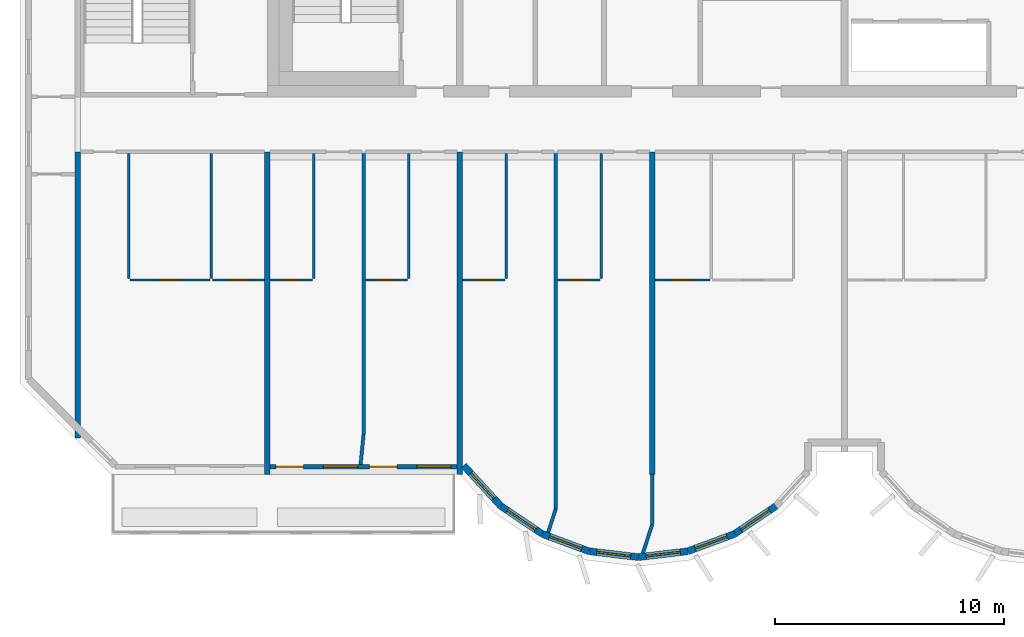
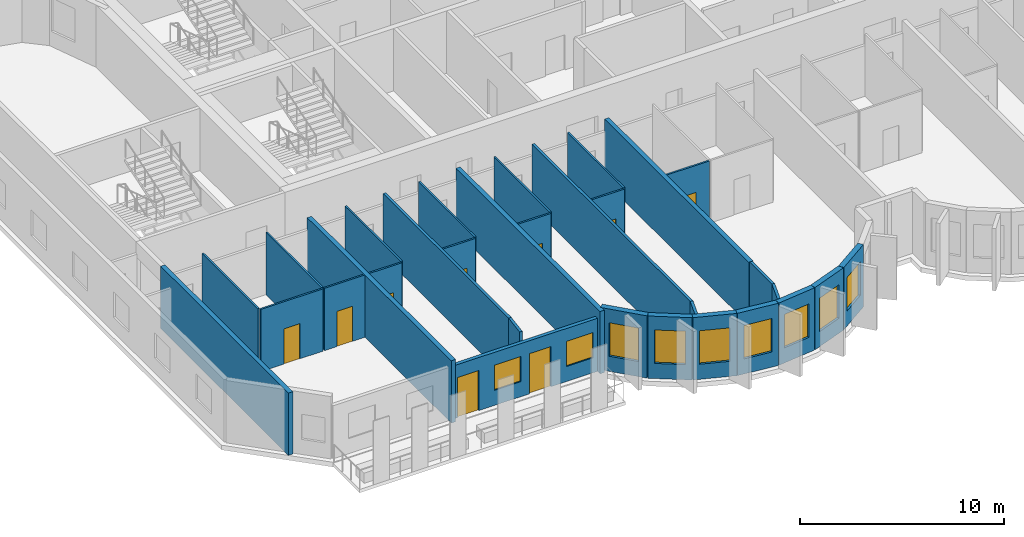
# One storey, part 2 of 12: 31 walls, 9 doors, 9 windows, 18 openings.
"""IFC4 building model written with IfcOpenShell, lengths in metres."""

from ifc_helpers import new_model, si_unit, direction, frame, frame_2d, origin, place, context, subcontext, project, spatial, rectangle, extrude, source, transform, mapped, material, layer, layer_set, type_object, element, fill, save


model = new_model("IFC4")

# Units and contexts
model_context = context("Model", 3, precision=1e-05, world=origin(), true_north=direction((0.0, 1.0)))
body_context = subcontext(model_context, "Body", "Model", "MODEL_VIEW")
ifc_project = project(units=[si_unit("LENGTHUNIT", "METRE"), si_unit("AREAUNIT", "SQUARE_METRE"), si_unit("VOLUMEUNIT", "CUBIC_METRE"), si_unit("PLANEANGLEUNIT", "RADIAN"), si_unit("MASSUNIT", "GRAM", prefix="KILO")], contexts=[model_context])

# Site, building, storey
site_placement = place(None, origin())
site = spatial("IfcSite", under=ifc_project, at=site_placement, CompositionType="ELEMENT")
building_placement = place(site_placement, origin())
building = spatial("IfcBuilding", under=site, at=building_placement, Name="Vanashikhar Sky Hotel", CompositionType="ELEMENT")
storey_placement = place(building_placement, frame((0.0, 0.0, 297.699951171875)))
storey = spatial("IfcBuildingStorey", under=building, at=storey_placement, Name="L71", CompositionType="ELEMENT", Elevation=297.699951171875)

# Walls
ifc_material_1 = material(Name="Concrete M50", Category="concrete")
ifc_layer_1 = layer(ifc_material_1, 0.25)
ifc_layer_set_1 = layer_set([ifc_layer_1], Name="RC shear wall 250 Concrete M50")
wall_type_1 = type_object("IfcWallType", Name="RC shear wall 250 Concrete M50", PredefinedType="SHEAR", material=ifc_layer_set_1)
shared_shape_1 = source(origin(), body_context, "Body", "SweptSolid", [
    extrude(rectangle(XDim=12.5, YDim=0.25, at=frame_2d((6.25, 0.0))), origin(), (0.0, 0.0, 1.0), 3.719970703125),
])
wall_1_placement = place(storey_placement, frame((16.925048828125, 7.10009765625, 0.0), z_axis=(0.0, 0.0, 1.0), x_axis=(0.0, 1.0, 0.0)))
element("IfcWall", 1, at=wall_1_placement, inside=storey, type_object=wall_type_1, Name="CW-L71-XW03-1", PredefinedType="SHEAR", context=body_context, shape_type="MappedRepresentation", body=[
    mapped(shared_shape_1, transform((0.0, 0.0, 0.0), scale=1.0)),
])
shared_shape_2 = source(origin(), body_context, "Body", "SweptSolid", [
    extrude(rectangle(XDim=14.10009765625, YDim=0.25, at=frame_2d((7.050048828125, 0.0))), origin(), (0.0, 0.0, 1.0), 3.719970703125),
])
for number, where, z_axis, x_axis, name in (
    (2, (25.199951171875, 5.5, 0.0), (0.0, 0.0, 1.0), (0.0, 1.0, 0.0), "CW-L71-XW04-1"),
    (3, (33.60009765625, 5.5, 0.0), (0.0, 0.0, 1.0), (0.0, 1.0, 0.0), "CW-L71-XW05-1"),
    (4, (42.0, 5.5, 0.0), (0.0, 0.0, 1.0), (0.0, 1.0, 0.0), "CW-L71-XW06-1"),
):
    element("IfcWall", number, at=place(storey_placement, frame(where, z_axis=z_axis, x_axis=x_axis)), inside=storey, type_object=wall_type_1, Name=name, PredefinedType="SHEAR", context=body_context, shape_type="MappedRepresentation", body=[
        mapped(shared_shape_2, transform((0.0, 0.0, 0.0), scale=1.0)),
    ])

# Wall, openings, windows, doors
ifc_layer_2 = layer(ifc_material_1, 0.199951171875)
ifc_layer_set_2 = layer_set([ifc_layer_2], Name="Front window wall 200")
wall_type_2 = type_object("IfcWallType", Name="Front window wall 200", PredefinedType="SOLIDWALL", material=ifc_layer_set_2)
shared_shape_3 = source(origin(), body_context, "Body", "SweptSolid", [
    extrude(rectangle(XDim=8.150146484375, YDim=0.199951171875, at=frame_2d((4.0751953125, 0.0))), origin(), (0.0, 0.0, 1.0), 3.170166015625),
])
wall_2_placement = place(storey_placement, frame((25.324951171875, 5.85009765625, 0.0), z_axis=(0.0, 0.0, 1.0), x_axis=(1.0, 0.0, 0.0)))
wall_2 = element("IfcWall", 5, at=wall_2_placement, inside=storey, type_object=wall_type_2, Name="Front window wall", PredefinedType="SOLIDWALL", context=body_context, shape_type="MappedRepresentation", body=[
    mapped(shared_shape_3, transform((0.0, 0.0, 0.0), scale=1.0)),
])
shared_shape_4 = source(origin(), body_context, "Body", "SweptSolid", [
    extrude(rectangle(XDim=1.199951171875, YDim=2.39990234375, at=frame_2d((0.60009765625, 1.199951171875))), frame((0.0, 0.10986328125, 0.0), z_axis=(0.0, -1.0, 0.0), x_axis=(1.0, 0.0, 0.0)), (0.0, 0.0, 1.0), 0.219970703125),
])
opening_1_placement = place(wall_2_placement, frame((0.25, 0.0, 0.0)))
opening_1 = element("IfcOpeningElement", 6, at=opening_1_placement, cuts=wall_2, Name="Opening BD-01", PredefinedType="OPENING", context=body_context, shape_type="MappedRepresentation", body=[
    mapped(shared_shape_4, transform((0.0, 0.0, 0.0), scale=1.0)),
])
shared_shape_5 = source(origin(), body_context, "Body", "SweptSolid", [
    extrude(rectangle(XDim=1.5, YDim=1.5, at=frame_2d((0.75, 0.75))), frame((0.0, 0.10986328125, 0.0), z_axis=(0.0, -1.0, 0.0), x_axis=(1.0, 0.0, 0.0)), (0.0, 0.0, 1.0), 0.219970703125),
])
opening_2_placement = place(wall_2_placement, frame((2.324951171875, 0.0, 0.89990234375)))
opening_2 = element("IfcOpeningElement", 7, at=opening_2_placement, cuts=wall_2, Name="Opening WN-1", PredefinedType="OPENING", context=body_context, shape_type="MappedRepresentation", body=[
    mapped(shared_shape_5, transform((0.0, 0.0, 0.0), scale=1.0)),
])
opening_3_placement = place(wall_2_placement, frame((4.324951171875, 0.0, 0.0)))
opening_3 = element("IfcOpeningElement", 8, at=opening_3_placement, cuts=wall_2, Name="Opening BD-02", PredefinedType="OPENING", context=body_context, shape_type="MappedRepresentation", body=[
    mapped(shared_shape_4, transform((0.0, 0.0, 0.0), scale=1.0)),
])
opening_4_placement = place(wall_2_placement, frame((6.39990234375, 0.0, 0.89990234375)))
opening_4 = element("IfcOpeningElement", 9, at=opening_4_placement, cuts=wall_2, Name="Opening WN-1", PredefinedType="OPENING", context=body_context, shape_type="MappedRepresentation", body=[
    mapped(shared_shape_5, transform((0.0, 0.0, 0.0), scale=1.0)),
])
ifc_material_2 = material(Name="Glass", Category="glass")
window_type_1 = type_object("IfcWindowType", Name="Window 1500 x 1500", PartitioningType="SINGLE_PANEL", PredefinedType="WINDOW", material=ifc_material_2)
shared_shape_6 = source(origin(), body_context, "Body", "SweptSolid", [
    extrude(rectangle(XDim=1.5, YDim=1.5, at=frame_2d((0.75, 0.75))), frame((0.0, 0.030029296875, 0.0), z_axis=(0.0, -1.0, 0.0), x_axis=(1.0, 0.0, 0.0)), (0.0, 0.0, 1.0), 0.06005859375),
])
window_1_placement = place(opening_2_placement, origin())
window_1 = element("IfcWindow", 10, at=window_1_placement, inside=storey, type_object=window_type_1, Name="Window WN-1", OverallHeight=1.5, OverallWidth=1.5, PartitioningType="SINGLE_PANEL", PredefinedType="WINDOW", context=body_context, shape_type="MappedRepresentation", body=[
    mapped(shared_shape_6, transform((0.0, 0.0, 0.0), scale=1.0)),
])
fill(opening_2, window_1)
window_2_placement = place(opening_4_placement, origin())
window_2 = element("IfcWindow", 11, at=window_2_placement, inside=storey, type_object=window_type_1, Name="Window WN-1", OverallHeight=1.5, OverallWidth=1.5, PartitioningType="SINGLE_PANEL", PredefinedType="WINDOW", context=body_context, shape_type="MappedRepresentation", body=[
    mapped(shared_shape_6, transform((0.0, 0.0, 0.0), scale=1.0)),
])
fill(opening_4, window_2)
ifc_material_3 = material(Name="Aluminium", Category="aluminium")
door_type_1 = type_object("IfcDoorType", Name="Balcony sliding door 1200 x 2400", OperationType="NOTDEFINED", PredefinedType="DOOR", material=ifc_material_3)
shared_shape_7 = source(origin(), body_context, "Body", "SweptSolid", [
    extrude(rectangle(XDim=1.199951171875, YDim=2.39990234375, at=frame_2d((0.60009765625, 1.199951171875))), frame((0.0, 0.02490234375, 0.0), z_axis=(0.0, -1.0, 0.0), x_axis=(1.0, 0.0, 0.0)), (0.0, 0.0, 1.0), 0.050048828125),
])
door_1_placement = place(opening_1_placement, origin())
door_1 = element("IfcDoor", 12, at=door_1_placement, inside=storey, type_object=door_type_1, Name="Balcony sliding door", OperationType="SLIDING_TO_LEFT", OverallHeight=2.39990234375, OverallWidth=1.199951171875, PredefinedType="DOOR", context=body_context, shape_type="MappedRepresentation", body=[
    mapped(shared_shape_7, transform((0.0, 0.0, 0.0), scale=1.0)),
])
fill(opening_1, door_1)
door_2_placement = place(opening_3_placement, origin())
door_2 = element("IfcDoor", 13, at=door_2_placement, inside=storey, type_object=door_type_1, Name="Balcony sliding door", OperationType="SLIDING_TO_RIGHT", OverallHeight=2.39990234375, OverallWidth=1.199951171875, PredefinedType="DOOR", context=body_context, shape_type="MappedRepresentation", body=[
    mapped(shared_shape_7, transform((0.0, 0.0, 0.0), scale=1.0)),
])
fill(opening_3, door_2)

# Wall, opening, window
ifc_layer_3 = layer(ifc_material_1, 0.300048828125)
ifc_layer_set_3 = layer_set([ifc_layer_3], Name="Lobe wall 300")
wall_type_3 = type_object("IfcWallType", Name="Lobe wall 300", PredefinedType="SOLIDWALL", material=ifc_layer_set_3)
shared_shape_8 = source(origin(), body_context, "Body", "SweptSolid", [
    extrude(rectangle(XDim=2.398193359375, YDim=0.300048828125, at=frame_2d((1.19921875, 0.0))), origin(), (0.0, 0.0, 1.0), 3.719970703125),
])
wall_3_placement = place(storey_placement, frame((33.776123046875, 5.89990234375, 0.0), z_axis=(0.0, 0.0, 1.0), x_axis=(0.675374189419, -0.737475222815, 0.0)))
wall_3 = element("IfcWall", 14, at=wall_3_placement, inside=storey, type_object=wall_type_3, Name="Lobe wall", PredefinedType="SOLIDWALL", context=body_context, shape_type="MappedRepresentation", body=[
    mapped(shared_shape_8, transform((0.0, 0.0, 0.0), scale=1.0)),
])
shared_shape_9 = source(origin(), body_context, "Body", "SweptSolid", [
    extrude(rectangle(XDim=1.5, YDim=2.0, at=frame_2d((0.75, 1.0))), frame((0.0, 0.16015625, 0.0), z_axis=(0.0, -1.0, 0.0), x_axis=(1.0, 0.0, 0.0)), (0.0, 0.0, 1.0), 0.320068359375),
])
opening_5_placement = place(wall_3_placement, frame((0.44921875, 0.0, 0.89990234375)))
opening_5 = element("IfcOpeningElement", 15, at=opening_5_placement, cuts=wall_3, Name="Opening WN-2", PredefinedType="OPENING", context=body_context, shape_type="MappedRepresentation", body=[
    mapped(shared_shape_9, transform((0.0, 0.0, 0.0), scale=1.0)),
])
window_type_2 = type_object("IfcWindowType", Name="Lobe window 1500 x 2000", PartitioningType="SINGLE_PANEL", PredefinedType="WINDOW", material=ifc_material_2)
shared_shape_10 = source(origin(), body_context, "Body", "SweptSolid", [
    extrude(rectangle(XDim=1.5, YDim=2.0, at=frame_2d((0.75, 1.0))), frame((0.0, 0.030029296875, 0.0), z_axis=(0.0, -1.0, 0.0), x_axis=(1.0, 0.0, 0.0)), (0.0, 0.0, 1.0), 0.06005859375),
])
window_3_placement = place(opening_5_placement, origin())
window_3 = element("IfcWindow", 16, at=window_3_placement, inside=storey, type_object=window_type_2, Name="Window WN-2", OverallHeight=2.0, OverallWidth=1.5, PartitioningType="SINGLE_PANEL", PredefinedType="WINDOW", context=body_context, shape_type="MappedRepresentation", body=[
    mapped(shared_shape_10, transform((0.0, 0.0, 0.0), scale=1.0)),
])
fill(opening_5, window_3)

shared_shape_11 = source(origin(), body_context, "Body", "SweptSolid", [
    extrude(rectangle(XDim=2.17578125, YDim=0.300048828125, at=frame_2d((1.087890625, 0.0))), origin(), (0.0, 0.0, 1.0), 3.719970703125),
])
wall_4_placement = place(storey_placement, frame((35.395751953125, 4.13134765625, 0.0), z_axis=(0.0, 0.0, 1.0), x_axis=(0.829590746428, -0.558371913192, 0.0)))
wall_4 = element("IfcWall", 17, at=wall_4_placement, inside=storey, type_object=wall_type_3, Name="Lobe wall", PredefinedType="SOLIDWALL", context=body_context, shape_type="MappedRepresentation", body=[
    mapped(shared_shape_11, transform((0.0, 0.0, 0.0), scale=1.0)),
])
opening_6_placement = place(wall_4_placement, frame((0.337890625, 0.0, 0.89990234375)))
opening_6 = element("IfcOpeningElement", 18, at=opening_6_placement, cuts=wall_4, Name="Opening WN-2", PredefinedType="OPENING", context=body_context, shape_type="MappedRepresentation", body=[
    mapped(shared_shape_9, transform((0.0, 0.0, 0.0), scale=1.0)),
])
window_4_placement = place(opening_6_placement, origin())
window_4 = element("IfcWindow", 19, at=window_4_placement, inside=storey, type_object=window_type_2, Name="Window WN-2", OverallHeight=2.0, OverallWidth=1.5, PartitioningType="SINGLE_PANEL", PredefinedType="WINDOW", context=body_context, shape_type="MappedRepresentation", body=[
    mapped(shared_shape_10, transform((0.0, 0.0, 0.0), scale=1.0)),
])
fill(opening_6, window_4)

wall_5_placement = place(storey_placement, frame((37.20068359375, 2.91650390625, 0.0), z_axis=(0.0, 0.0, 1.0), x_axis=(0.93754555999, -0.347862505801, 0.0)))
wall_5 = element("IfcWall", 20, at=wall_5_placement, inside=storey, type_object=wall_type_3, Name="Lobe wall", PredefinedType="SOLIDWALL", context=body_context, shape_type="MappedRepresentation", body=[
    mapped(shared_shape_11, transform((0.0, 0.0, 0.0), scale=1.0)),
])
opening_7_placement = place(wall_5_placement, frame((0.337890625, 0.0, 0.89990234375)))
opening_7 = element("IfcOpeningElement", 21, at=opening_7_placement, cuts=wall_5, Name="Opening WN-2", PredefinedType="OPENING", context=body_context, shape_type="MappedRepresentation", body=[
    mapped(shared_shape_9, transform((0.0, 0.0, 0.0), scale=1.0)),
])
window_5_placement = place(opening_7_placement, origin())
window_5 = element("IfcWindow", 22, at=window_5_placement, inside=storey, type_object=window_type_2, Name="Window WN-2", OverallHeight=2.0, OverallWidth=1.5, PartitioningType="SINGLE_PANEL", PredefinedType="WINDOW", context=body_context, shape_type="MappedRepresentation", body=[
    mapped(shared_shape_10, transform((0.0, 0.0, 0.0), scale=1.0)),
])
fill(opening_7, window_5)

wall_6_placement = place(storey_placement, frame((45.59912109375, 2.91650390625, 0.0), z_axis=(0.0, 0.0, 1.0), x_axis=(0.829625727223, 0.558319937607, 0.0)))
wall_6 = element("IfcWall", 23, at=wall_6_placement, inside=storey, type_object=wall_type_3, Name="Lobe wall", PredefinedType="SOLIDWALL", context=body_context, shape_type="MappedRepresentation", body=[
    mapped(shared_shape_11, transform((0.0, 0.0, 0.0), scale=1.0)),
])
opening_8_placement = place(wall_6_placement, frame((0.337890625, 0.0, 0.89990234375)))
opening_8 = element("IfcOpeningElement", 24, at=opening_8_placement, cuts=wall_6, Name="Opening WN-2", PredefinedType="OPENING", context=body_context, shape_type="MappedRepresentation", body=[
    mapped(shared_shape_9, transform((0.0, 0.0, 0.0), scale=1.0)),
])
window_6_placement = place(opening_8_placement, origin())
window_6 = element("IfcWindow", 25, at=window_6_placement, inside=storey, type_object=window_type_2, Name="Window WN-2", OverallHeight=2.0, OverallWidth=1.5, PartitioningType="SINGLE_PANEL", PredefinedType="WINDOW", context=body_context, shape_type="MappedRepresentation", body=[
    mapped(shared_shape_10, transform((0.0, 0.0, 0.0), scale=1.0)),
])
fill(opening_8, window_6)

shared_shape_12 = source(origin(), body_context, "Body", "SweptSolid", [
    extrude(rectangle(XDim=2.174560546875, YDim=0.300048828125, at=frame_2d((1.08740234375, 0.0))), origin(), (0.0, 0.0, 1.0), 3.719970703125),
])
wall_7_placement = place(storey_placement, frame((39.240478515625, 2.15966796875, 0.0), z_axis=(0.0, 0.0, 1.0), x_axis=(0.993001132889, -0.118104826659, 0.0)))
wall_7 = element("IfcWall", 26, at=wall_7_placement, inside=storey, type_object=wall_type_3, Name="Lobe wall", PredefinedType="SOLIDWALL", context=body_context, shape_type="MappedRepresentation", body=[
    mapped(shared_shape_12, transform((0.0, 0.0, 0.0), scale=1.0)),
])
opening_9_placement = place(wall_7_placement, frame((0.33740234375, 0.0, 0.89990234375)))
opening_9 = element("IfcOpeningElement", 27, at=opening_9_placement, cuts=wall_7, Name="Opening WN-2", PredefinedType="OPENING", context=body_context, shape_type="MappedRepresentation", body=[
    mapped(shared_shape_9, transform((0.0, 0.0, 0.0), scale=1.0)),
])
window_7_placement = place(opening_9_placement, origin())
window_7 = element("IfcWindow", 28, at=window_7_placement, inside=storey, type_object=window_type_2, Name="Window WN-2", OverallHeight=2.0, OverallWidth=1.5, PartitioningType="SINGLE_PANEL", PredefinedType="WINDOW", context=body_context, shape_type="MappedRepresentation", body=[
    mapped(shared_shape_10, transform((0.0, 0.0, 0.0), scale=1.0)),
])
fill(opening_9, window_7)

shared_shape_13 = source(origin(), body_context, "Body", "SweptSolid", [
    extrude(rectangle(XDim=2.1748046875, YDim=0.300048828125, at=frame_2d((1.08740234375, 0.0))), origin(), (0.0, 0.0, 1.0), 3.719970703125),
])
wall_8_placement = place(storey_placement, frame((41.39990234375, 1.90283203125, 0.0), z_axis=(0.0, 0.0, 1.0), x_axis=(0.993002698611, 0.118091661648, 0.0)))
wall_8 = element("IfcWall", 29, at=wall_8_placement, inside=storey, type_object=wall_type_3, Name="Lobe wall", PredefinedType="SOLIDWALL", context=body_context, shape_type="MappedRepresentation", body=[
    mapped(shared_shape_13, transform((0.0, 0.0, 0.0), scale=1.0)),
])
opening_10_placement = place(wall_8_placement, frame((0.33740234375, 0.0, 0.89990234375)))
opening_10 = element("IfcOpeningElement", 30, at=opening_10_placement, cuts=wall_8, Name="Opening WN-2", PredefinedType="OPENING", context=body_context, shape_type="MappedRepresentation", body=[
    mapped(shared_shape_9, transform((0.0, 0.0, 0.0), scale=1.0)),
])
window_8_placement = place(opening_10_placement, origin())
window_8 = element("IfcWindow", 31, at=window_8_placement, inside=storey, type_object=window_type_2, Name="Window WN-2", OverallHeight=2.0, OverallWidth=1.5, PartitioningType="SINGLE_PANEL", PredefinedType="WINDOW", context=body_context, shape_type="MappedRepresentation", body=[
    mapped(shared_shape_10, transform((0.0, 0.0, 0.0), scale=1.0)),
])
fill(opening_10, window_8)

shared_shape_14 = source(origin(), body_context, "Body", "SweptSolid", [
    extrude(rectangle(XDim=2.175537109375, YDim=0.300048828125, at=frame_2d((1.087890625, 0.0))), origin(), (0.0, 0.0, 1.0), 3.719970703125),
])
wall_9_placement = place(storey_placement, frame((43.5595703125, 2.15966796875, 0.0), z_axis=(0.0, 0.0, 1.0), x_axis=(0.937531979054, 0.347899106424, 0.0)))
wall_9 = element("IfcWall", 32, at=wall_9_placement, inside=storey, type_object=wall_type_3, Name="Lobe wall", PredefinedType="SOLIDWALL", context=body_context, shape_type="MappedRepresentation", body=[
    mapped(shared_shape_14, transform((0.0, 0.0, 0.0), scale=1.0)),
])
opening_11_placement = place(wall_9_placement, frame((0.337890625, 0.0, 0.89990234375)))
opening_11 = element("IfcOpeningElement", 33, at=opening_11_placement, cuts=wall_9, Name="Opening WN-2", PredefinedType="OPENING", context=body_context, shape_type="MappedRepresentation", body=[
    mapped(shared_shape_9, transform((0.0, 0.0, 0.0), scale=1.0)),
])
window_9_placement = place(opening_11_placement, origin())
window_9 = element("IfcWindow", 34, at=window_9_placement, inside=storey, type_object=window_type_2, Name="Window WN-2", OverallHeight=2.0, OverallWidth=1.5, PartitioningType="SINGLE_PANEL", PredefinedType="WINDOW", context=body_context, shape_type="MappedRepresentation", body=[
    mapped(shared_shape_10, transform((0.0, 0.0, 0.0), scale=1.0)),
])
fill(opening_11, window_9)

# Wall, opening, door
ifc_material_4 = material(Name="Gypsum plasterboard partition")
ifc_layer_4 = layer(ifc_material_4, 0.10009765625)
ifc_layer_set_4 = layer_set([ifc_layer_4], Name="Wet room partition 100")
wall_type_4 = type_object("IfcWallType", Name="Wet room partition 100", PredefinedType="PARTITIONING", material=ifc_layer_set_4)
shared_shape_15 = source(origin(), body_context, "Body", "SweptSolid", [
    extrude(rectangle(XDim=3.5, YDim=0.10009765625, at=frame_2d((1.75, 0.0))), origin(), (0.0, 0.0, 1.0), 3.719970703125),
])
wall_10_placement = place(storey_placement, frame((19.199951171875, 14.0, 0.0), z_axis=(0.0, 0.0, 1.0), x_axis=(1.0, 0.0, 0.0)))
wall_10 = element("IfcWall", 35, at=wall_10_placement, inside=storey, type_object=wall_type_4, Name="W-L71-PW003", PredefinedType="PARTITIONING", context=body_context, shape_type="MappedRepresentation", body=[
    mapped(shared_shape_15, transform((0.0, 0.0, 0.0), scale=1.0)),
])
shared_shape_16 = source(origin(), body_context, "Body", "SweptSolid", [
    extrude(rectangle(XDim=0.89990234375, YDim=2.10009765625, at=frame_2d((0.449951171875, 1.050048828125))), frame((0.0, 0.06005859375, 0.0), z_axis=(0.0, -1.0, 0.0), x_axis=(1.0, 0.0, 0.0)), (0.0, 0.0, 1.0), 0.1201171875),
])
opening_12_placement = place(wall_10_placement, frame((1.300048828125, 0.0, 0.0)))
opening_12 = element("IfcOpeningElement", 36, at=opening_12_placement, cuts=wall_10, Name="Opening D-02", PredefinedType="OPENING", context=body_context, shape_type="MappedRepresentation", body=[
    mapped(shared_shape_16, transform((0.0, 0.0, 0.0), scale=1.0)),
])
ifc_material_5 = material(Name="Timber door", Category="wood")
door_type_2 = type_object("IfcDoorType", Name="Internal door 900", OperationType="NOTDEFINED", PredefinedType="DOOR", material=ifc_material_5)
shared_shape_17 = source(origin(), body_context, "Body", "SweptSolid", [
    extrude(rectangle(XDim=0.89990234375, YDim=2.10009765625, at=frame_2d((0.449951171875, 1.050048828125))), frame((0.0, 0.02490234375, 0.0), z_axis=(0.0, -1.0, 0.0), x_axis=(1.0, 0.0, 0.0)), (0.0, 0.0, 1.0), 0.050048828125),
])
door_3_placement = place(opening_12_placement, origin())
door_3 = element("IfcDoor", 37, at=door_3_placement, inside=storey, type_object=door_type_2, Name="D-L71-001", OperationType="SINGLE_SWING_LEFT", OverallHeight=2.10009765625, OverallWidth=0.89990234375, PredefinedType="DOOR", context=body_context, shape_type="MappedRepresentation", body=[
    mapped(shared_shape_17, transform((0.0, 0.0, 0.0), scale=1.0)),
])
fill(opening_12, door_3)

# Walls
ifc_layer_5 = layer(ifc_material_4, 0.14990234375)
ifc_layer_set_5 = layer_set([ifc_layer_5], Name="Corridor and demising partition 150")
wall_type_5 = type_object("IfcWallType", Name="Corridor and demising partition 150", PredefinedType="PARTITIONING", material=ifc_layer_set_5)
shared_shape_18 = source(origin(), body_context, "Body", "SweptSolid", [
    extrude(rectangle(XDim=2.177978515625, YDim=0.14990234375, at=frame_2d((1.0888671875, 0.0))), origin(), (0.0, 0.0, 1.0), 3.719970703125),
])
wall_11_placement = place(storey_placement, frame((42.0, 3.322021484375, 0.0), z_axis=(0.0, 0.0, 1.0), x_axis=(0.0, 1.0, 0.0)))
element("IfcWall", 38, at=wall_11_placement, inside=storey, type_object=wall_type_5, Name="W-L71-PW047", PredefinedType="PARTITIONING", context=body_context, shape_type="MappedRepresentation", body=[
    mapped(shared_shape_18, transform((0.0, 0.0, 0.0), scale=1.0)),
])
shared_shape_19 = source(origin(), body_context, "Body", "SweptSolid", [
    extrude(rectangle(XDim=1.308349609375, YDim=0.14990234375, at=frame_2d((0.654296875, 0.0))), origin(), (0.0, 0.0, 1.0), 3.719970703125),
])
wall_12_placement = place(storey_placement, frame((41.597900390625, 2.076904296875, 0.0), z_axis=(0.0, 0.0, 1.0), x_axis=(0.307313512187, 0.951608325535, 0.0)))
element("IfcWall", 39, at=wall_12_placement, inside=storey, type_object=wall_type_5, Name="W-L71-PW047B0", PredefinedType="PARTITIONING", context=body_context, shape_type="MappedRepresentation", body=[
    mapped(shared_shape_19, transform((0.0, 0.0, 0.0), scale=1.0)),
])
shared_shape_20 = source(origin(), body_context, "Body", "SweptSolid", [
    extrude(rectangle(XDim=5.449951171875, YDim=0.10009765625, at=frame_2d((2.72509765625, 0.0))), origin(), (0.0, 0.0, 1.0), 3.719970703125),
])
for number, where, z_axis, x_axis, name in (
    (40, (19.14990234375, 14.074951171875, 0.0), (0.0, 0.0, 1.0), (0.0, 1.0, 0.0), "W-L71-PW001"),
    (41, (22.75, 14.074951171875, 0.0), (0.0, 0.0, 1.0), (0.0, 1.0, 0.0), "W-L71-PW002"),
    (42, (27.22509765625, 14.074951171875, 0.0), (0.0, 0.0, 1.0), (0.0, 1.0, 0.0), "W-L71-PW006"),
    (43, (31.375, 14.074951171875, 0.0), (0.0, 0.0, 1.0), (0.0, 1.0, 0.0), "W-L71-PW009"),
    (44, (35.625, 14.074951171875, 0.0), (0.0, 0.0, 1.0), (0.0, 1.0, 0.0), "W-L71-PW013"),
    (45, (39.77490234375, 14.074951171875, 0.0), (0.0, 0.0, 1.0), (0.0, 1.0, 0.0), "W-L71-PW016"),
):
    element("IfcWall", number, at=place(storey_placement, frame(where, z_axis=z_axis, x_axis=x_axis)), inside=storey, type_object=wall_type_4, Name=name, PredefinedType="PARTITIONING", context=body_context, shape_type="MappedRepresentation", body=[
        mapped(shared_shape_20, transform((0.0, 0.0, 0.0), scale=1.0)),
    ])

# Wall, opening, door
shared_shape_21 = source(origin(), body_context, "Body", "SweptSolid", [
    extrude(rectangle(XDim=2.27490234375, YDim=0.10009765625, at=frame_2d((1.137451171875, 0.0))), origin(), (0.0, 0.0, 1.0), 3.719970703125),
])
wall_13_placement = place(storey_placement, frame((22.800048828125, 14.0, 0.0), z_axis=(0.0, 0.0, 1.0), x_axis=(1.0, 0.0, 0.0)))
wall_13 = element("IfcWall", 46, at=wall_13_placement, inside=storey, type_object=wall_type_4, Name="W-L71-PW004", PredefinedType="PARTITIONING", context=body_context, shape_type="MappedRepresentation", body=[
    mapped(shared_shape_21, transform((0.0, 0.0, 0.0), scale=1.0)),
])
opening_13_placement = place(wall_13_placement, frame((0.68798828125, 0.0, 0.0)))
opening_13 = element("IfcOpeningElement", 47, at=opening_13_placement, cuts=wall_13, Name="Opening D-02", PredefinedType="OPENING", context=body_context, shape_type="MappedRepresentation", body=[
    mapped(shared_shape_16, transform((0.0, 0.0, 0.0), scale=1.0)),
])
door_4_placement = place(opening_13_placement, origin())
door_4 = element("IfcDoor", 48, at=door_4_placement, inside=storey, type_object=door_type_2, Name="D-L71-002", OperationType="SINGLE_SWING_LEFT", OverallHeight=2.10009765625, OverallWidth=0.89990234375, PredefinedType="DOOR", context=body_context, shape_type="MappedRepresentation", body=[
    mapped(shared_shape_17, transform((0.0, 0.0, 0.0), scale=1.0)),
])
fill(opening_13, door_4)

shared_shape_22 = source(origin(), body_context, "Body", "SweptSolid", [
    extrude(rectangle(XDim=1.85009765625, YDim=0.10009765625, at=frame_2d((0.925048828125, 0.0))), origin(), (0.0, 0.0, 1.0), 3.719970703125),
])
wall_14_placement = place(storey_placement, frame((25.324951171875, 14.0, 0.0), z_axis=(0.0, 0.0, 1.0), x_axis=(1.0, 0.0, 0.0)))
wall_14 = element("IfcWall", 49, at=wall_14_placement, inside=storey, type_object=wall_type_4, Name="W-L71-PW007", PredefinedType="PARTITIONING", context=body_context, shape_type="MappedRepresentation", body=[
    mapped(shared_shape_22, transform((0.0, 0.0, 0.0), scale=1.0)),
])
opening_14_placement = place(wall_14_placement, frame((0.47509765625, 0.0, 0.0)))
opening_14 = element("IfcOpeningElement", 50, at=opening_14_placement, cuts=wall_14, Name="Opening D-02", PredefinedType="OPENING", context=body_context, shape_type="MappedRepresentation", body=[
    mapped(shared_shape_16, transform((0.0, 0.0, 0.0), scale=1.0)),
])
door_5_placement = place(opening_14_placement, origin())
door_5 = element("IfcDoor", 51, at=door_5_placement, inside=storey, type_object=door_type_2, Name="D-L71-004", OperationType="SINGLE_SWING_RIGHT", OverallHeight=2.10009765625, OverallWidth=0.89990234375, PredefinedType="DOOR", context=body_context, shape_type="MappedRepresentation", body=[
    mapped(shared_shape_17, transform((0.0, 0.0, 0.0), scale=1.0)),
])
fill(opening_14, door_5)

wall_15_placement = place(storey_placement, frame((37.875, 14.0, 0.0), z_axis=(0.0, 0.0, 1.0), x_axis=(1.0, 0.0, 0.0)))
wall_15 = element("IfcWall", 52, at=wall_15_placement, inside=storey, type_object=wall_type_4, Name="W-L71-PW017", PredefinedType="PARTITIONING", context=body_context, shape_type="MappedRepresentation", body=[
    mapped(shared_shape_22, transform((0.0, 0.0, 0.0), scale=1.0)),
])
opening_15_placement = place(wall_15_placement, frame((0.47509765625, 0.0, 0.0)))
opening_15 = element("IfcOpeningElement", 53, at=opening_15_placement, cuts=wall_15, Name="Opening D-02", PredefinedType="OPENING", context=body_context, shape_type="MappedRepresentation", body=[
    mapped(shared_shape_16, transform((0.0, 0.0, 0.0), scale=1.0)),
])
door_6_placement = place(opening_15_placement, origin())
door_6 = element("IfcDoor", 54, at=door_6_placement, inside=storey, type_object=door_type_2, Name="D-L71-010", OperationType="SINGLE_SWING_RIGHT", OverallHeight=2.10009765625, OverallWidth=0.89990234375, PredefinedType="DOOR", context=body_context, shape_type="MappedRepresentation", body=[
    mapped(shared_shape_17, transform((0.0, 0.0, 0.0), scale=1.0)),
])
fill(opening_15, door_6)

shared_shape_23 = source(origin(), body_context, "Body", "SweptSolid", [
    extrude(rectangle(XDim=1.849853515625, YDim=0.10009765625, at=frame_2d((0.9248046875, 0.0))), origin(), (0.0, 0.0, 1.0), 3.719970703125),
])
wall_16_placement = place(storey_placement, frame((29.47509765625, 14.0, 0.0), z_axis=(0.0, 0.0, 1.0), x_axis=(1.0, 0.0, 0.0)))
wall_16 = element("IfcWall", 55, at=wall_16_placement, inside=storey, type_object=wall_type_4, Name="W-L71-PW010", PredefinedType="PARTITIONING", context=body_context, shape_type="MappedRepresentation", body=[
    mapped(shared_shape_23, transform((0.0, 0.0, 0.0), scale=1.0)),
])
opening_16_placement = place(wall_16_placement, frame((0.47509765625, 0.0, 0.0)))
opening_16 = element("IfcOpeningElement", 56, at=opening_16_placement, cuts=wall_16, Name="Opening D-02", PredefinedType="OPENING", context=body_context, shape_type="MappedRepresentation", body=[
    mapped(shared_shape_16, transform((0.0, 0.0, 0.0), scale=1.0)),
])
door_7_placement = place(opening_16_placement, origin())
door_7 = element("IfcDoor", 57, at=door_7_placement, inside=storey, type_object=door_type_2, Name="D-L71-006", OperationType="SINGLE_SWING_RIGHT", OverallHeight=2.10009765625, OverallWidth=0.89990234375, PredefinedType="DOOR", context=body_context, shape_type="MappedRepresentation", body=[
    mapped(shared_shape_17, transform((0.0, 0.0, 0.0), scale=1.0)),
])
fill(opening_16, door_7)

wall_17_placement = place(storey_placement, frame((33.72509765625, 14.0, 0.0), z_axis=(0.0, 0.0, 1.0), x_axis=(1.0, 0.0, 0.0)))
wall_17 = element("IfcWall", 58, at=wall_17_placement, inside=storey, type_object=wall_type_4, Name="W-L71-PW014", PredefinedType="PARTITIONING", context=body_context, shape_type="MappedRepresentation", body=[
    mapped(shared_shape_23, transform((0.0, 0.0, 0.0), scale=1.0)),
])
opening_17_placement = place(wall_17_placement, frame((0.47509765625, 0.0, 0.0)))
opening_17 = element("IfcOpeningElement", 59, at=opening_17_placement, cuts=wall_17, Name="Opening D-02", PredefinedType="OPENING", context=body_context, shape_type="MappedRepresentation", body=[
    mapped(shared_shape_16, transform((0.0, 0.0, 0.0), scale=1.0)),
])
door_8_placement = place(opening_17_placement, origin())
door_8 = element("IfcDoor", 60, at=door_8_placement, inside=storey, type_object=door_type_2, Name="D-L71-008", OperationType="SINGLE_SWING_RIGHT", OverallHeight=2.10009765625, OverallWidth=0.89990234375, PredefinedType="DOOR", context=body_context, shape_type="MappedRepresentation", body=[
    mapped(shared_shape_17, transform((0.0, 0.0, 0.0), scale=1.0)),
])
fill(opening_17, door_8)

# Walls
shared_shape_24 = source(origin(), body_context, "Body", "SweptSolid", [
    extrude(rectangle(XDim=12.27490234375, YDim=0.14990234375, at=frame_2d((6.137451171875, 0.0))), origin(), (0.0, 0.0, 1.0), 3.719970703125),
])
wall_18_placement = place(storey_placement, frame((29.39990234375, 7.25, 0.0), z_axis=(0.0, 0.0, 1.0), x_axis=(0.0, 1.0, 0.0)))
element("IfcWall", 61, at=wall_18_placement, inside=storey, type_object=wall_type_5, Name="W-L71-PW012", PredefinedType="PARTITIONING", context=body_context, shape_type="MappedRepresentation", body=[
    mapped(shared_shape_24, transform((0.0, 0.0, 0.0), scale=1.0)),
])
shared_shape_25 = source(origin(), body_context, "Body", "SweptSolid", [
    extrude(rectangle(XDim=15.497802734375, YDim=0.14990234375, at=frame_2d((7.7490234375, 0.0))), origin(), (0.0, 0.0, 1.0), 3.719970703125),
])
wall_19_placement = place(storey_placement, frame((37.800048828125, 4.027099609375, 0.0), z_axis=(0.0, 0.0, 1.0), x_axis=(0.0, 1.0, 0.0)))
element("IfcWall", 62, at=wall_19_placement, inside=storey, type_object=wall_type_5, Name="W-L71-PW019", PredefinedType="PARTITIONING", context=body_context, shape_type="MappedRepresentation", body=[
    mapped(shared_shape_25, transform((0.0, 0.0, 0.0), scale=1.0)),
])

# Wall, opening, door
shared_shape_26 = source(origin(), body_context, "Body", "SweptSolid", [
    extrude(rectangle(XDim=2.39990234375, YDim=0.10009765625, at=frame_2d((1.199951171875, 0.0))), origin(), (0.0, 0.0, 1.0), 3.719970703125),
])
wall_20_placement = place(storey_placement, frame((42.125, 14.0, 0.0), z_axis=(0.0, 0.0, 1.0), x_axis=(1.0, 0.0, 0.0)))
wall_20 = element("IfcWall", 63, at=wall_20_placement, inside=storey, type_object=wall_type_4, Name="W-L71-PW023", PredefinedType="PARTITIONING", context=body_context, shape_type="MappedRepresentation", body=[
    mapped(shared_shape_26, transform((0.0, 0.0, 0.0), scale=1.0)),
])
opening_18_placement = place(wall_20_placement, frame((0.75, 0.0, 0.0)))
opening_18 = element("IfcOpeningElement", 64, at=opening_18_placement, cuts=wall_20, Name="Opening D-02", PredefinedType="OPENING", context=body_context, shape_type="MappedRepresentation", body=[
    mapped(shared_shape_16, transform((0.0, 0.0, 0.0), scale=1.0)),
])
door_9_placement = place(opening_18_placement, origin())
door_9 = element("IfcDoor", 65, at=door_9_placement, inside=storey, type_object=door_type_2, Name="D-L71-013", OperationType="SINGLE_SWING_RIGHT", OverallHeight=2.10009765625, OverallWidth=0.89990234375, PredefinedType="DOOR", context=body_context, shape_type="MappedRepresentation", body=[
    mapped(shared_shape_17, transform((0.0, 0.0, 0.0), scale=1.0)),
])
fill(opening_18, door_9)

# Walls
shared_shape_27 = source(origin(), body_context, "Body", "SweptSolid", [
    extrude(rectangle(XDim=1.306640625, YDim=0.14990234375, at=frame_2d((0.6533203125, 0.0))), origin(), (0.0, 0.0, 1.0), 3.719970703125),
])
wall_21_placement = place(storey_placement, frame((29.27001953125, 5.949951171875, 0.0), z_axis=(0.0, 0.0, 1.0), x_axis=(0.099411212066, 0.995046436562, 0.0)))
element("IfcWall", 66, at=wall_21_placement, inside=storey, type_object=wall_type_5, Name="W-L71-PW012B0", PredefinedType="PARTITIONING", context=body_context, shape_type="MappedRepresentation", body=[
    mapped(shared_shape_27, transform((0.0, 0.0, 0.0), scale=1.0)),
])
shared_shape_28 = source(origin(), body_context, "Body", "SweptSolid", [
    extrude(rectangle(XDim=1.100830078125, YDim=0.14990234375, at=frame_2d((0.55029296875, 0.0))), origin(), (0.0, 0.0, 1.0), 3.719970703125),
])
wall_22_placement = place(storey_placement, frame((37.45703125, 2.98095703125, 0.0), z_axis=(0.0, 0.0, 1.0), x_axis=(0.311567081539, 0.950224159712, 0.0)))
element("IfcWall", 67, at=wall_22_placement, inside=storey, type_object=wall_type_5, Name="W-L71-PW019B0", PredefinedType="PARTITIONING", context=body_context, shape_type="MappedRepresentation", body=[
    mapped(shared_shape_28, transform((0.0, 0.0, 0.0), scale=1.0)),
])

save(model, "model.ifc")
